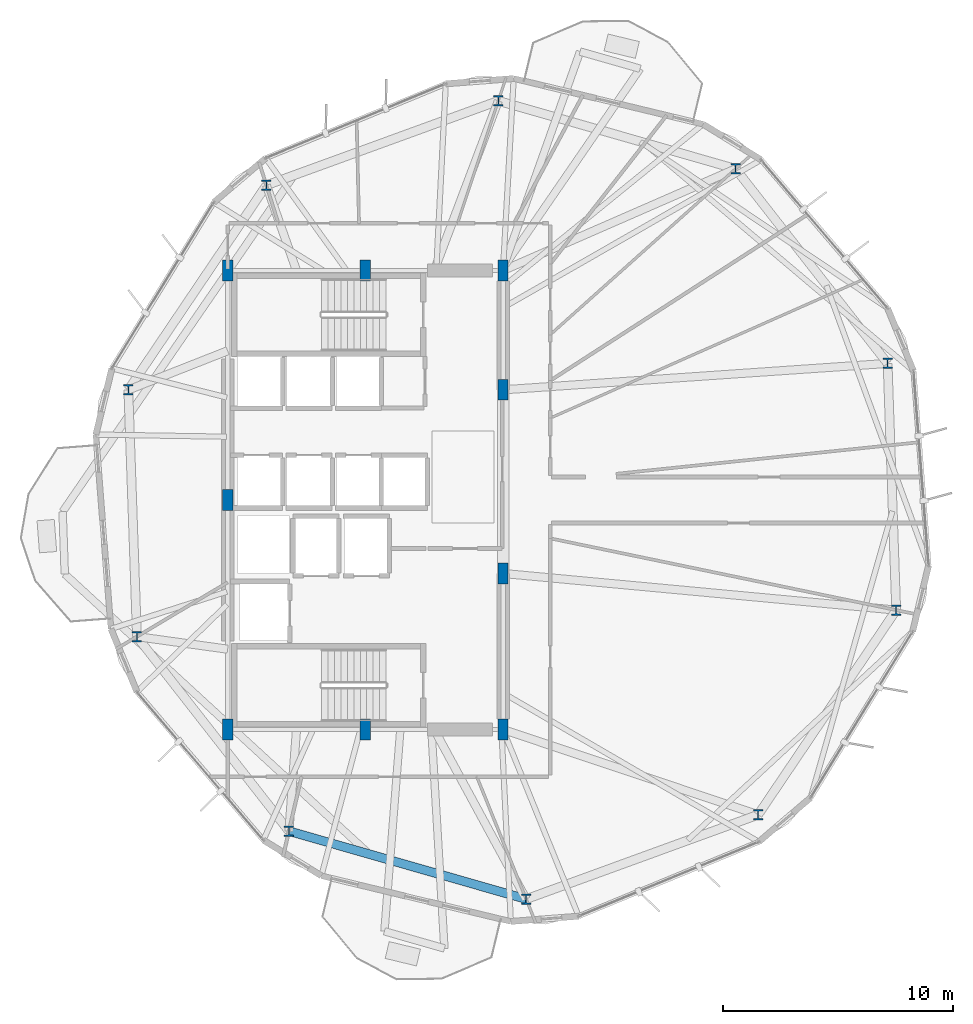
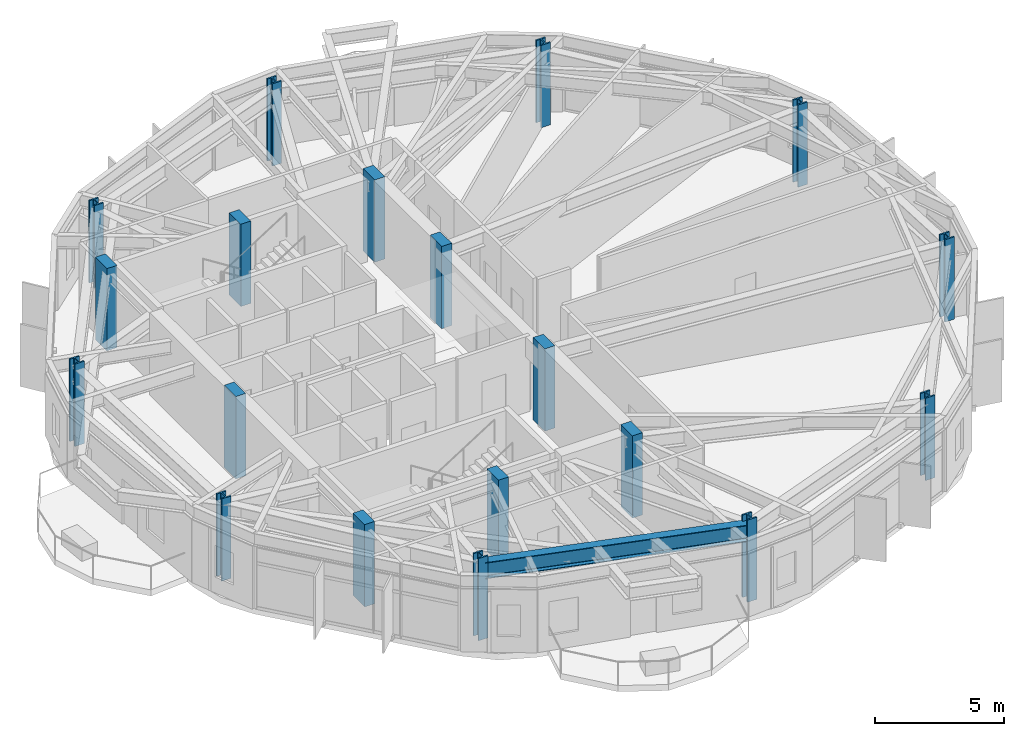
# One storey, part 1 of 21: 19 columns, 1 beam.
"""IFC4 building model written with IfcOpenShell, lengths in metres."""

from ifc_helpers import new_model, si_unit, direction, frame, origin, origin_2d, place, context, subcontext, project, spatial, rectangle, i_section, extrude, material, material_profile, profile_set, type_object, element, save


model = new_model("IFC4")

# Units and contexts
model_context = context("Model", 3, precision=1e-05, world=origin(), true_north=direction((0.0, 1.0)))
body_context = subcontext(model_context, "Body", "Model", "MODEL_VIEW")
ifc_project = project(units=[si_unit("LENGTHUNIT", "METRE"), si_unit("AREAUNIT", "SQUARE_METRE"), si_unit("VOLUMEUNIT", "CUBIC_METRE"), si_unit("PLANEANGLEUNIT", "RADIAN"), si_unit("MASSUNIT", "GRAM", prefix="KILO")], contexts=[model_context])

# Site, building, storey
site_placement = place(None, origin())
site = spatial("IfcSite", under=ifc_project, at=site_placement, CompositionType="ELEMENT")
building_placement = place(site_placement, origin())
building = spatial("IfcBuilding", under=site, at=building_placement, Name="Soratama Intermodal Tower", CompositionType="ELEMENT")
storey_placement = place(building_placement, frame((0.0, 0.0, 114.699951171875)))
storey = spatial("IfcBuildingStorey", under=building, at=storey_placement, Name="L27", CompositionType="ELEMENT", Elevation=114.699951171875)

# Columns
ifc_material_1 = material(Name="Structural steel ASTM A992 Grade 50", Category="steel")
ifc_material_profile_1 = material_profile(ifc_material_1, i_section(OverallWidth=0.41796875, OverallDepth=0.455078125, WebThickness=0.0419921875, FlangeThickness=0.067626953125, FilletRadius=0.0380859375, at=origin_2d()), Name="W14X370")
ifc_profile_set_1 = profile_set([ifc_material_profile_1], Name="Structural steel ASTM A992 Grade 50")
column_type_1 = type_object("IfcColumnType", Name="COL-ZB-W14X370", PredefinedType="COLUMN", material=ifc_profile_set_1)
for number, where, z_axis, x_axis, name in (
    (1, (61.3505859375, 30.951171875, 0.0), (0.0, 0.0, 1.0), (1.0, 0.0, 0.0), "L27 Tower Ring Column R01"),
    (2, (54.72998046875, 39.42529296875, 0.0), (0.0, 0.0, 1.0), (1.0, 0.0, 0.0), "L27 Tower Ring Column R02"),
    (3, (44.392578125, 42.389404296875, 0.0), (0.0, 0.0, 1.0), (1.0, 0.0, 0.0), "L27 Tower Ring Column R03"),
    (4, (34.28759765625, 38.71142578125, 0.0), (0.0, 0.0, 1.0), (1.0, 0.0, 0.0), "L27 Tower Ring Column R04"),
    (5, (28.27392578125, 29.796142578125, 0.0), (0.0, 0.0, 1.0), (1.0, 0.0, 0.0), "L27 Tower Ring Column R05"),
    (6, (28.6494140625, 19.048828125, 0.0), (0.0, 0.0, 1.0), (1.0, 0.0, 0.0), "L27 Tower Ring Column R06"),
    (7, (35.27001953125, 10.57470703125, 0.0), (0.0, 0.0, 1.0), (1.0, 0.0, 0.0), "L27 Tower Ring Column R07"),
    (8, (45.607421875, 7.610595703125, 0.0), (0.0, 0.0, 1.0), (1.0, 0.0, 0.0), "L27 Tower Ring Column R08"),
    (9, (55.71240234375, 11.28857421875, 0.0), (0.0, 0.0, 1.0), (1.0, 0.0, 0.0), "L27 Tower Ring Column R09"),
    (10, (61.72607421875, 20.203857421875, 0.0), (0.0, 0.0, 1.0), (1.0, 0.0, 0.0), "L27 Tower Ring Column R10"),
):
    element("IfcColumn", number, at=place(storey_placement, frame(where, z_axis=z_axis, x_axis=x_axis)), inside=storey, type_object=column_type_1, Name=name, PredefinedType="COLUMN", context=body_context, shape_type="SweptSolid", body=[
        extrude(i_section(OverallWidth=0.41796875, OverallDepth=0.455078125, WebThickness=0.0419921875, FlangeThickness=0.067626953125, FilletRadius=0.0380859375, at=origin_2d()), origin(), (0.0, 0.0, 1.0), 3.900146484375),
    ])
ifc_material_2 = material(Name="Concrete f'c 56 MPa", Category="concrete")
ifc_material_profile_2 = material_profile(ifc_material_2, rectangle(XDim=0.449951171875, YDim=0.89990234375, at=origin_2d()), Name="RC450X900")
ifc_profile_set_2 = profile_set([ifc_material_profile_2], Name="Concrete f'c 56 MPa")
column_type_2 = type_object("IfcColumnType", Name="PIL-CORE-450X900", PredefinedType="PILASTER", material=ifc_profile_set_2)
for number, where, z_axis, x_axis, name in (
    (11, (32.60009765625, 15.0, 0.0), (0.0, 0.0, 1.0), (1.0, 0.0, 0.0), "L27 Core Pilaster 1"),
    (12, (32.60009765625, 25.0, 0.0), (0.0, 0.0, 1.0), (1.0, 0.0, 0.0), "L27 Core Pilaster 2"),
    (13, (32.60009765625, 35.0, 0.0), (0.0, 0.0, 1.0), (1.0, 0.0, 0.0), "L27 Core Pilaster 3"),
    (14, (38.60009765625, 15.0, 0.0), (0.0, 0.0, 1.0), (1.0, 0.0, 0.0), "L27 Core Pilaster 4"),
    (15, (38.60009765625, 35.0, 0.0), (0.0, 0.0, 1.0), (1.0, 0.0, 0.0), "L27 Core Pilaster 5"),
    (16, (44.60009765625, 15.0, 0.0), (0.0, 0.0, 1.0), (1.0, 0.0, 0.0), "L27 Core Pilaster 6"),
    (17, (44.60009765625, 21.800048828125, 0.0), (0.0, 0.0, 1.0), (1.0, 0.0, 0.0), "L27 Core Pilaster 7"),
    (18, (44.60009765625, 29.800048828125, 0.0), (0.0, 0.0, 1.0), (1.0, 0.0, 0.0), "L27 Core Pilaster 8"),
    (19, (44.60009765625, 35.0, 0.0), (0.0, 0.0, 1.0), (1.0, 0.0, 0.0), "L27 Core Pilaster 9"),
):
    element("IfcColumn", number, at=place(storey_placement, frame(where, z_axis=z_axis, x_axis=x_axis)), inside=storey, type_object=column_type_2, Name=name, PredefinedType="PILASTER", context=body_context, shape_type="SweptSolid", body=[
        extrude(rectangle(XDim=0.449951171875, YDim=0.89990234375, at=origin_2d()), origin(), (0.0, 0.0, 1.0), 3.900146484375),
    ])

# Beam
ifc_material_3 = material(Name="Structural steel ASTM A992 Grade 50", Category="steel")
ifc_material_profile_3 = material_profile(ifc_material_3, i_section(OverallWidth=0.382080078125, OverallDepth=0.779052734375, WebThickness=0.01806640625, FlangeThickness=0.030029296875, FilletRadius=0.01806640625, at=origin_2d()), Name="W30X191")
ifc_profile_set_3 = profile_set([ifc_material_profile_3], Name="Structural steel ASTM A992 Grade 50")
beam_type = type_object("IfcBeamType", Name="BM-RING-W30X191", PredefinedType="BEAM", material=ifc_profile_set_3)
beam_placement = place(storey_placement, frame((35.27001953125, 10.574951171875, 3.21044921875), z_axis=(0.961266505995, -0.275620580604, 0.0), x_axis=(0.275620580604, 0.961266505995, 0.0)))
element("IfcBeam", 20, at=beam_placement, inside=storey, type_object=beam_type, Name="BM-L27-RING-07", PredefinedType="BEAM", context=body_context, shape_type="SweptSolid", body=[
    extrude(i_section(OverallWidth=0.382080078125, OverallDepth=0.779052734375, WebThickness=0.01806640625, FlangeThickness=0.030029296875, FilletRadius=0.01806640625, at=origin_2d()), origin(), (0.0, 0.0, 1.0), 10.75341796875),
])

save(model, "model.ifc")
